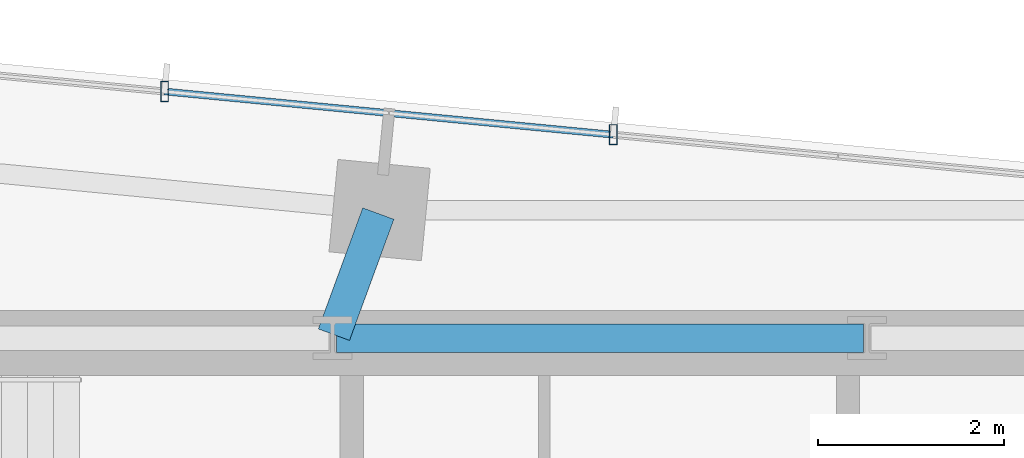
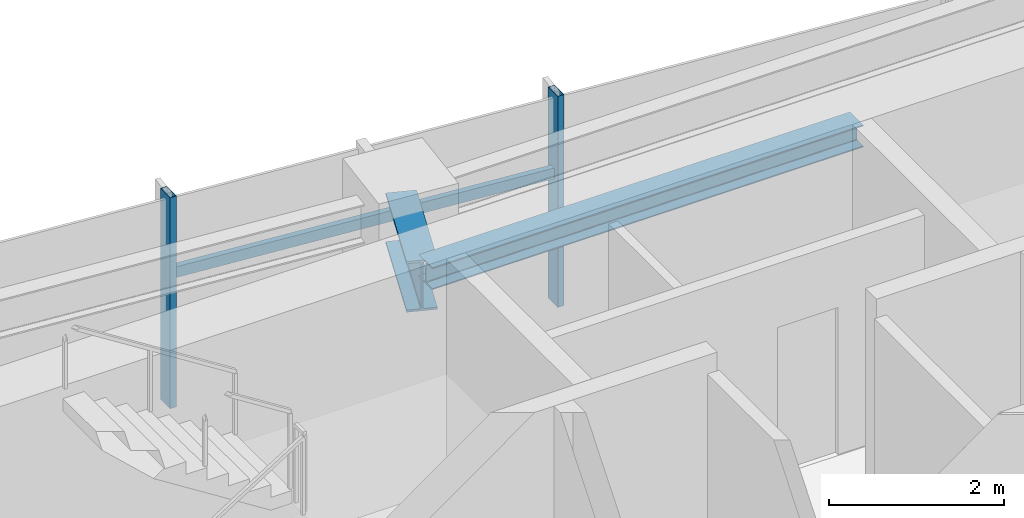
# One storey, part 8 of 20: 3 members, 2 beams, 1 element without a shape of its own.
"""IFC4 building model written with IfcOpenShell, lengths in metres."""

import ifcopenshell
import ifcopenshell.guid

model = None  # the IFC model being written
_history = None  # IfcOwnerHistory: only IFC2X3 demands one
_inside = {}  # id of a spatial element -> (the spatial element, [elements in it])
_under = {}  # id of a project, library or spatial element -> (it, [spatial elements below it])
_declared = {}  # id of a project -> (the project, [libraries it declares])
_typed = {}  # id of a type object -> (the type object, [elements of that type])
_made_of = {}  # id of a material, layer set ... -> (it, [elements and type objects made of it])


def new_model(schema):
    """Start an empty IFC model of exactly this schema.

    Asked for "IFC4X3", IfcOpenShell would pick the latest addendum, in which some entities
    have other attributes; the version numbers below select the first issue.
    IFC2X3 requires an IfcOwnerHistory on every rooted entity: one is made here for all.
    """
    global model, _history
    if schema == "IFC4X3":
        model = ifcopenshell.file(schema_version=(4, 3, 0, 0))
    else:
        model = ifcopenshell.file(schema=schema)
    _inside.clear()
    _under.clear()
    _declared.clear()
    _typed.clear()
    _made_of.clear()
    _history = None
    if model.schema == "IFC2X3":
        org = make("IfcOrganization", Name="unknown")
        user = make(
            "IfcPersonAndOrganization",
            ThePerson=make("IfcPerson", FamilyName="unknown"),
            TheOrganization=org,
        )
        app = make(
            "IfcApplication",
            ApplicationDeveloper=org,
            Version="unknown",
            ApplicationFullName="unknown",
            ApplicationIdentifier="unknown",
        )
        _history = make(
            "IfcOwnerHistory",
            OwningUser=user,
            OwningApplication=app,
            ChangeAction="ADDED",
            CreationDate=0,
        )
    return model


def make(cls, **values):
    """One entity of the class cls with the attributes given. An attribute that is None is left unset."""
    return model.create_entity(
        cls, **{name: value for name, value in values.items() if value is not None}
    )


def rooted(cls, **values):
    """An entity with a GlobalId (a new one), such as an element, a storey or a relation."""
    return make(cls, GlobalId=ifcopenshell.guid.new(), OwnerHistory=_history, **values)


def si_unit(unit_type, name, prefix=None):
    """IfcSIUnit, for example si_unit("LENGTHUNIT", "METRE", prefix="MILLI")."""
    return make("IfcSIUnit", UnitType=unit_type, Prefix=prefix, Name=name)


def assignment(units):
    """IfcUnitAssignment: the units of a project."""
    return None if units is None else make("IfcUnitAssignment", Units=units)


def point(xyz):
    """IfcCartesianPoint."""
    return None if xyz is None else make("IfcCartesianPoint", Coordinates=xyz)


def direction(xyz):
    """IfcDirection."""
    return None if xyz is None else make("IfcDirection", DirectionRatios=xyz)


def frame(location, z_axis=None, x_axis=None):
    """IfcAxis2Placement3D, a coordinate frame: its origin and axes. An axis left out is left unset."""
    return make(
        "IfcAxis2Placement3D",
        Location=point(location),
        Axis=direction(z_axis),
        RefDirection=direction(x_axis),
    )


def frame_2d(location, x_axis=None):
    """IfcAxis2Placement2D, a coordinate frame in the plane: its origin and x axis."""
    return make(
        "IfcAxis2Placement2D", Location=point(location), RefDirection=direction(x_axis)
    )


def origin():
    """The frame at (0, 0, 0) with its axes left unset."""
    return frame((0.0, 0.0, 0.0))


def origin_2d():
    """The frame at (0, 0) in the plane with its x axis left unset."""
    return frame_2d((0.0, 0.0))


def place(relative_to, where):
    """IfcLocalPlacement: puts the frame where relative to a parent placement (None: the world)."""
    return make(
        "IfcLocalPlacement", PlacementRelTo=relative_to, RelativePlacement=where
    )


def context(
    kind, dimensions, precision=None, world=None, true_north=None, identifier=None
):
    """IfcGeometricRepresentationContext, for example the 3D "Model" context."""
    return make(
        "IfcGeometricRepresentationContext",
        ContextIdentifier=identifier,
        ContextType=kind,
        CoordinateSpaceDimension=dimensions,
        Precision=precision,
        WorldCoordinateSystem=world,
        TrueNorth=true_north,
    )


def subcontext(parent, identifier, kind, view, scale=None):
    """IfcGeometricRepresentationSubContext, for example "Body" below "Model"."""
    return make(
        "IfcGeometricRepresentationSubContext",
        ContextIdentifier=identifier,
        ContextType=kind,
        ParentContext=parent,
        TargetScale=scale,
        TargetView=view,
    )


def project(units=None, contexts=None):
    """IfcProject with its units and contexts."""
    return rooted(
        "IfcProject",
        Name="project",
        RepresentationContexts=contexts,
        UnitsInContext=assignment(units),
    )


def spatial(cls, under=None, at=None, **own):
    """A site, building, storey or space (cls), placed at a placement, below another one or the project."""
    s = rooted(cls, ObjectPlacement=at, **own)
    if under is not None:
        _under.setdefault(under.id(), (under, []))[1].append(s)
    return s


def profile(cls, at=None, kind="AREA", **sizes):
    """A parametric profile (cls). Its sizes go by their IFC names, for example OverallWidth=200.0."""
    return make(cls, ProfileType=kind, Position=at, **sizes)


def hollow_rectangle(**sizes):
    """IfcRectangleHollowProfileDef."""
    return profile("IfcRectangleHollowProfileDef", **sizes)


def i_section(**sizes):
    """IfcIShapeProfileDef."""
    return profile("IfcIShapeProfileDef", **sizes)


def extrude(swept, where, along, depth):
    """IfcExtrudedAreaSolid: the profile swept, set in the frame where, extruded along a direction by depth."""
    return make(
        "IfcExtrudedAreaSolid",
        SweptArea=swept,
        Position=where,
        ExtrudedDirection=direction(along),
        Depth=depth,
    )


def shape(context_of_items, identifier, shape_type, items):
    """IfcShapeRepresentation: the items that make up one representation, for example the "Body"."""
    return make(
        "IfcShapeRepresentation",
        ContextOfItems=context_of_items,
        RepresentationIdentifier=identifier,
        RepresentationType=shape_type,
        Items=items,
    )


def source(mapping_origin, context_of_items, identifier, shape_type, items):
    """IfcRepresentationMap: a shape defined once, which mapped items show again and again."""
    return make(
        "IfcRepresentationMap",
        MappingOrigin=mapping_origin,
        MappedRepresentation=shape(context_of_items, identifier, shape_type, items),
    )


def transform(
    local_origin,
    x_axis=None,
    y_axis=None,
    z_axis=None,
    scale=None,
    scale2=None,
    scale3=None,
    uniform=True,
):
    """IfcCartesianTransformationOperator3D, or its non-uniform kind. x_axis, y_axis, z_axis: its Axis1, 2, 3."""
    if uniform:
        return make(
            "IfcCartesianTransformationOperator3D",
            Axis1=direction(x_axis),
            Axis2=direction(y_axis),
            LocalOrigin=point(local_origin),
            Scale=scale,
            Axis3=direction(z_axis),
        )
    return make(
        "IfcCartesianTransformationOperator3DnonUniform",
        Axis1=direction(x_axis),
        Axis2=direction(y_axis),
        LocalOrigin=point(local_origin),
        Scale=scale,
        Axis3=direction(z_axis),
        Scale2=scale2,
        Scale3=scale3,
    )


def mapped(mapping_source, mapping_target):
    """IfcMappedItem: shows the shape of a source again, moved by a transform."""
    return make(
        "IfcMappedItem", MappingSource=mapping_source, MappingTarget=mapping_target
    )


def material(Name=None, Category=None):
    """IfcMaterial."""
    return make("IfcMaterial", Name=Name, Category=Category)


def material_profile(
    of_material, cross_section, Name=None, Category=None, Priority=None
):
    """IfcMaterialProfile: a cross section and its material."""
    return make(
        "IfcMaterialProfile",
        Name=Name,
        Material=of_material,
        Profile=cross_section,
        Priority=Priority,
        Category=Category,
    )


def profile_set(profiles, Name=None, composite=None):
    """IfcMaterialProfileSet."""
    return make(
        "IfcMaterialProfileSet",
        Name=Name,
        MaterialProfiles=profiles,
        CompositeProfile=composite,
    )


def made_of(thing, what):
    """Note that an element or type object is made of a material, layer set ...; save() writes the relation."""
    if what is not None:
        _made_of.setdefault(what.id(), (what, []))[1].append(thing)
    return thing


def type_object(cls, material=None, **own):
    """A type object (cls), such as IfcWallType, which elements share."""
    return made_of(rooted(cls, **own), material)


def type_shapes(of_type, sources):
    """Give a type object the sources (RepresentationMaps) that its elements show as mapped items."""
    of_type.RepresentationMaps = sources


def element(
    cls,
    number,
    at=None,
    inside=None,
    cuts=None,
    type_object=None,
    material=None,
    context=None,
    identifier="Body",
    shape_type=None,
    held_by="IfcProductDefinitionShape",
    body=None,
    shapes=None,
    **own,
):
    """One element of the class cls, such as IfcWall. Its Tag is "e" and its number.

    at: its placement. inside: the storey or other place that contains it. cuts: it is an
    opening in that element (IfcRelVoidsElement). A single representation is given by context,
    identifier, shape_type and body (its items); several are given by shapes. held_by: the class
    of the entity that holds the representations. save() writes the other relations.
    """
    e = rooted(cls, Tag="e%d" % number, ObjectPlacement=at, **own)
    if body is not None:
        shapes = [shape(context, identifier, shape_type, body)]
    if shapes is not None:
        e.Representation = make(held_by, Representations=shapes)
    if inside is not None:
        _inside.setdefault(inside.id(), (inside, []))[1].append(e)
    if cuts is not None:
        rooted(
            "IfcRelVoidsElement", RelatingBuildingElement=cuts, RelatedOpeningElement=e
        )
    if type_object is not None:
        _typed.setdefault(type_object.id(), (type_object, []))[1].append(e)
    return made_of(e, material)


def aggregate(whole, parts):
    """IfcRelAggregates: a whole, such as a stair, and the parts it consists of."""
    return rooted("IfcRelAggregates", RelatingObject=whole, RelatedObjects=parts)


def save(model, path):
    """Write the relations noted so far, then the file.

    IfcRelAggregates (storeys below a building ...), IfcRelContainedInSpatialStructure (elements
    in a storey), IfcRelDefinesByType, IfcRelAssociatesMaterial and IfcRelDeclares: one each for
    every whole, place, type object, material and project.
    """
    for whole, parts in _under.values():
        aggregate(whole, parts)
    for where, things in _inside.values():
        rooted(
            "IfcRelContainedInSpatialStructure",
            RelatedElements=things,
            RelatingStructure=where,
        )
    for kind, things in _typed.values():
        rooted("IfcRelDefinesByType", RelatedObjects=things, RelatingType=kind)
    for what, things in _made_of.values():
        rooted("IfcRelAssociatesMaterial", RelatedObjects=things, RelatingMaterial=what)
    for by, libraries in _declared.values():
        rooted("IfcRelDeclares", RelatingContext=by, RelatedDefinitions=libraries)
    model.write(path)


model = new_model("IFC4")

# Units and contexts
model_context = context("Model", 3, precision=1e-05, world=origin(), true_north=direction((0.0, 1.0)))
body_context = subcontext(model_context, "Body", "Model", "MODEL_VIEW")
ifc_project = project(units=[si_unit("LENGTHUNIT", "METRE"), si_unit("AREAUNIT", "SQUARE_METRE"), si_unit("VOLUMEUNIT", "CUBIC_METRE"), si_unit("PLANEANGLEUNIT", "RADIAN"), si_unit("MASSUNIT", "GRAM", prefix="KILO")], contexts=[model_context])

# Site, building, storey
site_placement = place(None, origin())
site = spatial("IfcSite", under=ifc_project, at=site_placement, CompositionType="ELEMENT")
building_placement = place(site_placement, origin())
building = spatial("IfcBuilding", under=site, at=building_placement, Name="Astriad Promenade Condominiums", CompositionType="ELEMENT")
storey_placement = place(building_placement, frame((0.0, 0.0, 127.800048828125)))
storey = spatial("IfcBuildingStorey", under=building, at=storey_placement, Name="L36", CompositionType="ELEMENT", Elevation=127.800048828125)

# Beams
ifc_material_1 = material(Name="Steel ASTM A992 Grade 50", Category="steel")
ifc_material_profile_1 = material_profile(ifc_material_1, i_section(OverallWidth=0.3046875, OverallDepth=0.307861328125, WebThickness=0.010009765625, FlangeThickness=0.015380859375, FilletRadius=0.01513671875, at=origin_2d()), Name="W12X65")
ifc_profile_set_1 = profile_set([ifc_material_profile_1], Name="Steel ASTM A992 Grade 50")
beam_type_1 = type_object("IfcBeamType", Name="STEEL OPENING LINTEL W12X65", PredefinedType="LINTEL", material=ifc_profile_set_1)
shared_shape_1 = source(origin(), body_context, "Body", "SweptSolid", [
    extrude(i_section(OverallWidth=0.3046875, OverallDepth=0.307861328125, WebThickness=0.010009765625, FlangeThickness=0.015380859375, FilletRadius=0.01513671875, at=origin_2d()), origin(), (0.0, 0.0, 1.0), 5.68017578125),
])
type_shapes(beam_type_1, [shared_shape_1])
beam_1_placement = place(storey_placement, frame((33.159912109375, 24.0, 2.7861328125), z_axis=(1.0, 0.0, 0.0), x_axis=(0.0, 1.0, 0.0)))
element("IfcBeam", 1, at=beam_1_placement, inside=storey, type_object=beam_type_1, Name="Core Ring Beam CG-N2-L36", PredefinedType="LINTEL", context=body_context, shape_type="MappedRepresentation", body=[
    mapped(shared_shape_1, transform((0.0, 0.0, 0.0), scale=1.0)),
])
ifc_material_profile_2 = material_profile(ifc_material_1, i_section(OverallWidth=0.35791015625, OverallDepth=0.706298828125, WebThickness=0.018310546875, FlangeThickness=0.0302734375, FilletRadius=0.020263671875, at=origin_2d()), Name="W27X178")
ifc_profile_set_2 = profile_set([ifc_material_profile_2], Name="Steel ASTM A992 Grade 50")
beam_type_2 = type_object("IfcBeamType", Name="STEEL FLOOR GIRDER W27X178", PredefinedType="BEAM", material=ifc_profile_set_2)
shared_shape_2 = source(origin(), body_context, "Body", "SweptSolid", [
    extrude(i_section(OverallWidth=0.35791015625, OverallDepth=0.706298828125, WebThickness=0.018310546875, FlangeThickness=0.0302734375, FilletRadius=0.020263671875, at=origin_2d()), origin(), (0.0, 0.0, 1.0), 1.39013671875),
])
type_shapes(beam_type_2, [shared_shape_2])
beam_2_placement = place(storey_placement, frame((33.6123046875, 25.3427734375, 2.586669921875), z_axis=(-0.344223686797, -0.938887668173, 0.0), x_axis=(0.938887668173, -0.344223686797, 0.0)))
element("IfcBeam", 2, at=beam_2_placement, inside=storey, type_object=beam_type_2, Name="Primary Floor Girder PG-NC-L36", PredefinedType="BEAM", context=body_context, shape_type="MappedRepresentation", body=[
    mapped(shared_shape_2, transform((0.0, 0.0, 0.0), scale=1.0)),
])

# Curtain wall, members
ifc_material_2 = material(Name="Anodised aluminium Black Dark Glass Unitised", Category="aluminium")
curtain_wall_type = type_object("IfcCurtainWallType", Name="CW-B34-DARK", PredefinedType="USERDEFINED", material=ifc_material_2)
curtain_wall_placement = place(storey_placement, origin())
curtain_wall = element("IfcCurtainWall", 3, at=curtain_wall_placement, inside=storey, type_object=curtain_wall_type, Name="CW-L36-N", ObjectType="UNITISED_CURTAIN_WALL", PredefinedType="USERDEFINED")
ifc_material_3 = material(Name="Anodised aluminium 6063-T6 Black", Category="aluminium")
ifc_material_profile_3 = material_profile(ifc_material_3, hollow_rectangle(XDim=0.0849609375, YDim=0.219970703125, WallThickness=0.0048828125, at=origin_2d()), Name="ALU-MUL-85X220")
ifc_profile_set_3 = profile_set([ifc_material_profile_3], Name="Anodised aluminium 6063-T6 Black")
member_type_1 = type_object("IfcMemberType", Name="MUL-ALU-MUL-85X220", PredefinedType="MULLION", material=ifc_profile_set_3)
shared_shape_3 = source(origin(), body_context, "Body", "SweptSolid", [
    extrude(hollow_rectangle(XDim=0.0849609375, YDim=0.219970703125, WallThickness=0.0048828125, at=origin_2d()), origin(), (0.0, 0.0, 1.0), 2.93994140625),
])
type_shapes(member_type_1, [shared_shape_3])
member_1_placement = place(storey_placement, frame((31.30810546875, 26.658447265625, 0.0), z_axis=(0.0, 0.0, 1.0), x_axis=(1.0, 0.0, 0.0)))
member_1 = element("IfcMember", 4, at=member_1_placement, type_object=member_type_1, Name="CW-L36-N-MUL-01", PredefinedType="MULLION", context=body_context, shape_type="MappedRepresentation", body=[
    mapped(shared_shape_3, transform((0.0, 0.0, 0.0), scale=1.0)),
])
member_2_placement = place(storey_placement, frame((36.145751953125, 26.1923828125, 0.0), z_axis=(0.0, 0.0, 1.0), x_axis=(1.0, 0.0, 0.0)))
member_2 = element("IfcMember", 5, at=member_2_placement, type_object=member_type_1, Name="CW-L36-N-MUL-02", PredefinedType="MULLION", context=body_context, shape_type="MappedRepresentation", body=[
    mapped(shared_shape_3, transform((0.0, 0.0, 0.0), scale=1.0)),
])
ifc_material_profile_4 = material_profile(ifc_material_3, hollow_rectangle(XDim=0.074951171875, YDim=0.14990234375, WallThickness=0.004150390625, at=origin_2d()), Name="ALU-TRN-75X150")
ifc_profile_set_4 = profile_set([ifc_material_profile_4], Name="Anodised aluminium 6063-T6 Black")
member_type_2 = type_object("IfcMemberType", Name="TRN-ALU-TRN-75X150", PredefinedType="USERDEFINED", material=ifc_profile_set_4)
shared_shape_4 = source(origin(), body_context, "Body", "SweptSolid", [
    extrude(hollow_rectangle(XDim=0.074951171875, YDim=0.14990234375, WallThickness=0.004150390625, at=origin_2d()), origin(), (0.0, 0.0, 1.0), 4.860107421875),
])
type_shapes(member_type_2, [shared_shape_4])
member_3_placement = place(storey_placement, frame((31.30810546875, 26.658447265625, 1.82275390625), z_axis=(0.995391248663, -0.09589714326, 0.0), x_axis=(0.09589714326, 0.995391248663, 0.0)))
member_3 = element("IfcMember", 6, at=member_3_placement, type_object=member_type_2, Name="CW-L36-N-TRN-01-0", ObjectType="TRANSOM", PredefinedType="USERDEFINED", context=body_context, shape_type="MappedRepresentation", body=[
    mapped(shared_shape_4, transform((0.0, 0.0, 0.0), scale=1.0)),
])
aggregate(curtain_wall, [member_1, member_2, member_3])

save(model, "model.ifc")
